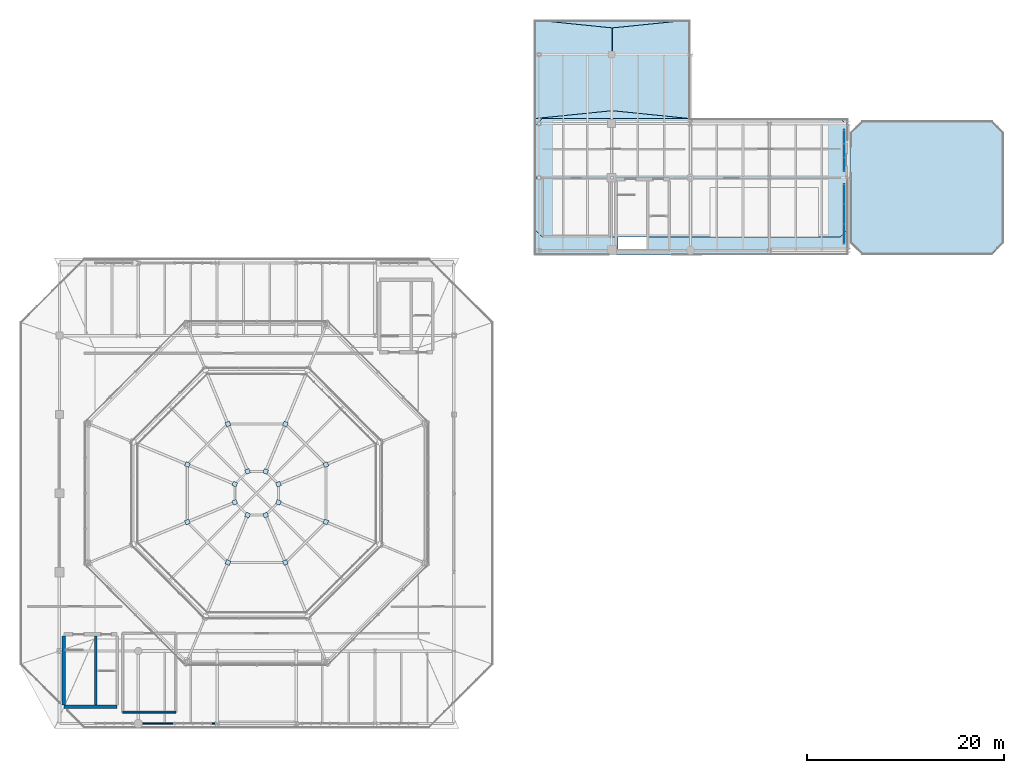
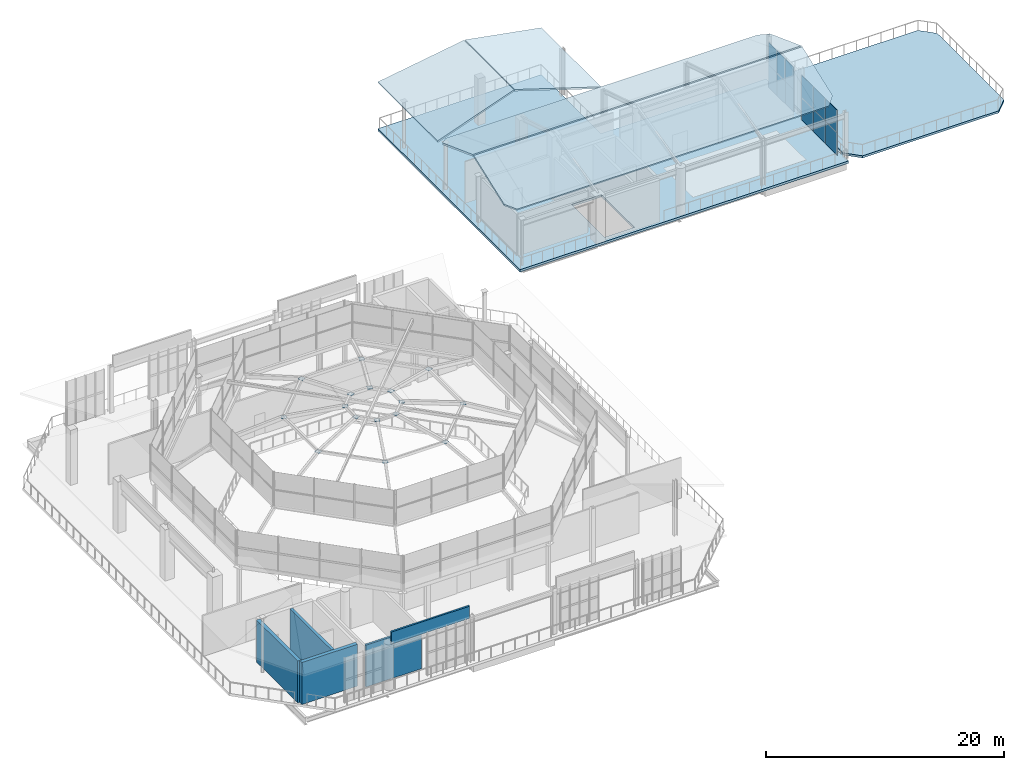
# One storey, part 23 of 30: 28 plates, 6 slabs, 5 walls, 2 elements without a shape of their own.
"""IFC4 building model written with IfcOpenShell, lengths in metres."""

import ifcopenshell
import ifcopenshell.guid

model = None  # the IFC model being written
_history = None  # IfcOwnerHistory: only IFC2X3 demands one
_inside = {}  # id of a spatial element -> (the spatial element, [elements in it])
_under = {}  # id of a project, library or spatial element -> (it, [spatial elements below it])
_declared = {}  # id of a project -> (the project, [libraries it declares])
_typed = {}  # id of a type object -> (the type object, [elements of that type])
_made_of = {}  # id of a material, layer set ... -> (it, [elements and type objects made of it])


def new_model(schema):
    """Start an empty IFC model of exactly this schema.

    Asked for "IFC4X3", IfcOpenShell would pick the latest addendum, in which some entities
    have other attributes; the version numbers below select the first issue.
    IFC2X3 requires an IfcOwnerHistory on every rooted entity: one is made here for all.
    """
    global model, _history
    if schema == "IFC4X3":
        model = ifcopenshell.file(schema_version=(4, 3, 0, 0))
    else:
        model = ifcopenshell.file(schema=schema)
    _inside.clear()
    _under.clear()
    _declared.clear()
    _typed.clear()
    _made_of.clear()
    _history = None
    if model.schema == "IFC2X3":
        org = make("IfcOrganization", Name="unknown")
        user = make(
            "IfcPersonAndOrganization",
            ThePerson=make("IfcPerson", FamilyName="unknown"),
            TheOrganization=org,
        )
        app = make(
            "IfcApplication",
            ApplicationDeveloper=org,
            Version="unknown",
            ApplicationFullName="unknown",
            ApplicationIdentifier="unknown",
        )
        _history = make(
            "IfcOwnerHistory",
            OwningUser=user,
            OwningApplication=app,
            ChangeAction="ADDED",
            CreationDate=0,
        )
    return model


def make(cls, **values):
    """One entity of the class cls with the attributes given. An attribute that is None is left unset."""
    return model.create_entity(
        cls, **{name: value for name, value in values.items() if value is not None}
    )


def rooted(cls, **values):
    """An entity with a GlobalId (a new one), such as an element, a storey or a relation."""
    return make(cls, GlobalId=ifcopenshell.guid.new(), OwnerHistory=_history, **values)


def si_unit(unit_type, name, prefix=None):
    """IfcSIUnit, for example si_unit("LENGTHUNIT", "METRE", prefix="MILLI")."""
    return make("IfcSIUnit", UnitType=unit_type, Prefix=prefix, Name=name)


def assignment(units):
    """IfcUnitAssignment: the units of a project."""
    return None if units is None else make("IfcUnitAssignment", Units=units)


def point(xyz):
    """IfcCartesianPoint."""
    return None if xyz is None else make("IfcCartesianPoint", Coordinates=xyz)


def direction(xyz):
    """IfcDirection."""
    return None if xyz is None else make("IfcDirection", DirectionRatios=xyz)


def frame(location, z_axis=None, x_axis=None):
    """IfcAxis2Placement3D, a coordinate frame: its origin and axes. An axis left out is left unset."""
    return make(
        "IfcAxis2Placement3D",
        Location=point(location),
        Axis=direction(z_axis),
        RefDirection=direction(x_axis),
    )


def frame_2d(location, x_axis=None):
    """IfcAxis2Placement2D, a coordinate frame in the plane: its origin and x axis."""
    return make(
        "IfcAxis2Placement2D", Location=point(location), RefDirection=direction(x_axis)
    )


def origin():
    """The frame at (0, 0, 0) with its axes left unset."""
    return frame((0.0, 0.0, 0.0))


def origin_2d():
    """The frame at (0, 0) in the plane with its x axis left unset."""
    return frame_2d((0.0, 0.0))


def place(relative_to, where):
    """IfcLocalPlacement: puts the frame where relative to a parent placement (None: the world)."""
    return make(
        "IfcLocalPlacement", PlacementRelTo=relative_to, RelativePlacement=where
    )


def context(
    kind, dimensions, precision=None, world=None, true_north=None, identifier=None
):
    """IfcGeometricRepresentationContext, for example the 3D "Model" context."""
    return make(
        "IfcGeometricRepresentationContext",
        ContextIdentifier=identifier,
        ContextType=kind,
        CoordinateSpaceDimension=dimensions,
        Precision=precision,
        WorldCoordinateSystem=world,
        TrueNorth=true_north,
    )


def subcontext(parent, identifier, kind, view, scale=None):
    """IfcGeometricRepresentationSubContext, for example "Body" below "Model"."""
    return make(
        "IfcGeometricRepresentationSubContext",
        ContextIdentifier=identifier,
        ContextType=kind,
        ParentContext=parent,
        TargetScale=scale,
        TargetView=view,
    )


def project(units=None, contexts=None):
    """IfcProject with its units and contexts."""
    return rooted(
        "IfcProject",
        Name="project",
        RepresentationContexts=contexts,
        UnitsInContext=assignment(units),
    )


def spatial(cls, under=None, at=None, **own):
    """A site, building, storey or space (cls), placed at a placement, below another one or the project."""
    s = rooted(cls, ObjectPlacement=at, **own)
    if under is not None:
        _under.setdefault(under.id(), (under, []))[1].append(s)
    return s


def polyline(points):
    """IfcPolyline through the points."""
    return make("IfcPolyline", Points=[point(p) for p in points])


def profile(cls, at=None, kind="AREA", **sizes):
    """A parametric profile (cls). Its sizes go by their IFC names, for example OverallWidth=200.0."""
    return make(cls, ProfileType=kind, Position=at, **sizes)


def rectangle(**sizes):
    """IfcRectangleProfileDef."""
    return profile("IfcRectangleProfileDef", **sizes)


def outline(outer, holes=None, kind="AREA"):
    """IfcArbitraryClosedProfileDef: a profile drawn as a closed curve; with holes, ...WithVoids."""
    if holes is None:
        return make("IfcArbitraryClosedProfileDef", ProfileType=kind, OuterCurve=outer)
    return make(
        "IfcArbitraryProfileDefWithVoids",
        ProfileType=kind,
        OuterCurve=outer,
        InnerCurves=holes,
    )


def extrude(swept, where, along, depth):
    """IfcExtrudedAreaSolid: the profile swept, set in the frame where, extruded along a direction by depth."""
    return make(
        "IfcExtrudedAreaSolid",
        SweptArea=swept,
        Position=where,
        ExtrudedDirection=direction(along),
        Depth=depth,
    )


def shape(context_of_items, identifier, shape_type, items):
    """IfcShapeRepresentation: the items that make up one representation, for example the "Body"."""
    return make(
        "IfcShapeRepresentation",
        ContextOfItems=context_of_items,
        RepresentationIdentifier=identifier,
        RepresentationType=shape_type,
        Items=items,
    )


def material(Name=None, Category=None):
    """IfcMaterial."""
    return make("IfcMaterial", Name=Name, Category=Category)


def layer(
    of_material, thickness, ventilated=None, Name=None, Category=None, Priority=None
):
    """IfcMaterialLayer: one layer of a wall or slab, of a material (None: an air gap)."""
    return make(
        "IfcMaterialLayer",
        Material=of_material,
        LayerThickness=thickness,
        IsVentilated=ventilated,
        Name=Name,
        Category=Category,
        Priority=Priority,
    )


def layer_set(layers, Name=None):
    """IfcMaterialLayerSet."""
    return make("IfcMaterialLayerSet", MaterialLayers=layers, LayerSetName=Name)


def made_of(thing, what):
    """Note that an element or type object is made of a material, layer set ...; save() writes the relation."""
    if what is not None:
        _made_of.setdefault(what.id(), (what, []))[1].append(thing)
    return thing


def type_object(cls, material=None, **own):
    """A type object (cls), such as IfcWallType, which elements share."""
    return made_of(rooted(cls, **own), material)


def element(
    cls,
    number,
    at=None,
    inside=None,
    cuts=None,
    type_object=None,
    material=None,
    context=None,
    identifier="Body",
    shape_type=None,
    held_by="IfcProductDefinitionShape",
    body=None,
    shapes=None,
    **own,
):
    """One element of the class cls, such as IfcWall. Its Tag is "e" and its number.

    at: its placement. inside: the storey or other place that contains it. cuts: it is an
    opening in that element (IfcRelVoidsElement). A single representation is given by context,
    identifier, shape_type and body (its items); several are given by shapes. held_by: the class
    of the entity that holds the representations. save() writes the other relations.
    """
    e = rooted(cls, Tag="e%d" % number, ObjectPlacement=at, **own)
    if body is not None:
        shapes = [shape(context, identifier, shape_type, body)]
    if shapes is not None:
        e.Representation = make(held_by, Representations=shapes)
    if inside is not None:
        _inside.setdefault(inside.id(), (inside, []))[1].append(e)
    if cuts is not None:
        rooted(
            "IfcRelVoidsElement", RelatingBuildingElement=cuts, RelatedOpeningElement=e
        )
    if type_object is not None:
        _typed.setdefault(type_object.id(), (type_object, []))[1].append(e)
    return made_of(e, material)


def aggregate(whole, parts):
    """IfcRelAggregates: a whole, such as a stair, and the parts it consists of."""
    return rooted("IfcRelAggregates", RelatingObject=whole, RelatedObjects=parts)


def save(model, path):
    """Write the relations noted so far, then the file.

    IfcRelAggregates (storeys below a building ...), IfcRelContainedInSpatialStructure (elements
    in a storey), IfcRelDefinesByType, IfcRelAssociatesMaterial and IfcRelDeclares: one each for
    every whole, place, type object, material and project.
    """
    for whole, parts in _under.values():
        aggregate(whole, parts)
    for where, things in _inside.values():
        rooted(
            "IfcRelContainedInSpatialStructure",
            RelatedElements=things,
            RelatingStructure=where,
        )
    for kind, things in _typed.values():
        rooted("IfcRelDefinesByType", RelatedObjects=things, RelatingType=kind)
    for what, things in _made_of.values():
        rooted("IfcRelAssociatesMaterial", RelatedObjects=things, RelatingMaterial=what)
    for by, libraries in _declared.values():
        rooted("IfcRelDeclares", RelatingContext=by, RelatedDefinitions=libraries)
    model.write(path)


model = new_model("IFC4")

# Units and contexts
model_context = context("Model", 3, precision=1e-05, world=origin(), true_north=direction((0.0, 1.0)))
body_context = subcontext(model_context, "Body", "Model", "MODEL_VIEW")
ifc_project = project(units=[si_unit("LENGTHUNIT", "METRE"), si_unit("AREAUNIT", "SQUARE_METRE"), si_unit("VOLUMEUNIT", "CUBIC_METRE"), si_unit("PLANEANGLEUNIT", "RADIAN"), si_unit("MASSUNIT", "GRAM", prefix="KILO")], contexts=[model_context])

# Site, building, storey
site_placement = place(None, origin())
site = spatial("IfcSite", under=ifc_project, at=site_placement, CompositionType="ELEMENT")
building_placement = place(site_placement, origin())
building = spatial("IfcBuilding", under=site, at=building_placement, Name="Brisemont Oceanarium", CompositionType="ELEMENT")
storey_placement = place(building_placement, frame((0.0, 0.0, 19.800048828125)))
storey = spatial("IfcBuildingStorey", under=building, at=storey_placement, Name="L04", CompositionType="ELEMENT", Elevation=19.800048828125)

# Curtain wall, plates
ifc_material_1 = material(Name="Anodized Extruded Aluminum 6063-T6", Category="aluminium")
curtain_wall_type = type_object("IfcCurtainWallType", Name="CW-RES-52X41", PredefinedType="NOTDEFINED", material=ifc_material_1)
curtain_wall_1_placement = place(storey_placement, origin())
curtain_wall_1 = element("IfcCurtainWall", 1, at=curtain_wall_1_placement, inside=storey, type_object=curtain_wall_type, Name="CW-18 curtain wall CW-V6-E-L04-01", PredefinedType="NOTDEFINED")
ifc_material_2 = material(Name="Insulated Low-E Laminated Glass", Category="glass")
ifc_layer_1 = layer(ifc_material_2, 0.02587890625)
ifc_layer_set_1 = layer_set([ifc_layer_1], Name="Insulated Low-E Laminated Glass")
plate_type_1 = type_object("IfcPlateType", Name="PLT-CWP-V10", PredefinedType="CURTAIN_PANEL", material=ifc_layer_set_1)
plate_1_placement = place(storey_placement, frame((143.60009765625, 82.308349609375, 0.00146484375), z_axis=(0.0, 0.0, 1.0), x_axis=(0.0, 1.0, 0.0)))
plate_1 = element("IfcPlate", 2, at=plate_1_placement, type_object=plate_type_1, Name="CW-V6-E-L04-01 panel 1.1", PredefinedType="CURTAIN_PANEL", context=body_context, shape_type="SweptSolid", body=[
    extrude(rectangle(XDim=2.013671875, YDim=0.02587890625, at=origin_2d()), origin(), (0.0, 0.0, 1.0), 2.297119140625),
])
plate_2_placement = place(storey_placement, frame((143.60009765625, 82.308349609375, 2.30126953125), z_axis=(0.0, 0.0, 1.0), x_axis=(0.0, 1.0, 0.0)))
plate_2 = element("IfcPlate", 3, at=plate_2_placement, type_object=plate_type_1, Name="CW-V6-E-L04-01 panel 1.2", PredefinedType="CURTAIN_PANEL", context=body_context, shape_type="SweptSolid", body=[
    extrude(rectangle(XDim=2.013671875, YDim=0.02587890625, at=origin_2d()), origin(), (0.0, 0.0, 1.0), 2.297119140625),
])
plate_3_placement = place(storey_placement, frame((143.60009765625, 84.324951171875, 0.00146484375), z_axis=(0.0, 0.0, 1.0), x_axis=(0.0, 1.0, 0.0)))
plate_3 = element("IfcPlate", 4, at=plate_3_placement, type_object=plate_type_1, Name="CW-V6-E-L04-01 panel 2.1", PredefinedType="CURTAIN_PANEL", context=body_context, shape_type="SweptSolid", body=[
    extrude(rectangle(XDim=2.013671875, YDim=0.02587890625, at=origin_2d()), origin(), (0.0, 0.0, 1.0), 2.297119140625),
])
plate_4_placement = place(storey_placement, frame((143.60009765625, 84.324951171875, 2.30126953125), z_axis=(0.0, 0.0, 1.0), x_axis=(0.0, 1.0, 0.0)))
plate_4 = element("IfcPlate", 5, at=plate_4_placement, type_object=plate_type_1, Name="CW-V6-E-L04-01 panel 2.2", PredefinedType="CURTAIN_PANEL", context=body_context, shape_type="SweptSolid", body=[
    extrude(rectangle(XDim=2.013671875, YDim=0.02587890625, at=origin_2d()), origin(), (0.0, 0.0, 1.0), 2.297119140625),
])
plate_5_placement = place(storey_placement, frame((143.60009765625, 86.341796875, 0.00146484375), z_axis=(0.0, 0.0, 1.0), x_axis=(0.0, 1.0, 0.0)))
plate_5 = element("IfcPlate", 6, at=plate_5_placement, type_object=plate_type_1, Name="CW-V6-E-L04-01 panel 3.1", PredefinedType="CURTAIN_PANEL", context=body_context, shape_type="SweptSolid", body=[
    extrude(rectangle(XDim=2.013671875, YDim=0.02587890625, at=origin_2d()), origin(), (0.0, 0.0, 1.0), 2.297119140625),
])
plate_6_placement = place(storey_placement, frame((143.60009765625, 86.341796875, 2.30126953125), z_axis=(0.0, 0.0, 1.0), x_axis=(0.0, 1.0, 0.0)))
plate_6 = element("IfcPlate", 7, at=plate_6_placement, type_object=plate_type_1, Name="CW-V6-E-L04-01 panel 3.2", PredefinedType="CURTAIN_PANEL", context=body_context, shape_type="SweptSolid", body=[
    extrude(rectangle(XDim=2.013671875, YDim=0.02587890625, at=origin_2d()), origin(), (0.0, 0.0, 1.0), 2.297119140625),
])
aggregate(curtain_wall_1, [plate_1, plate_2, plate_3, plate_4, plate_5, plate_6])

curtain_wall_2_placement = place(storey_placement, origin())
curtain_wall_2 = element("IfcCurtainWall", 8, at=curtain_wall_2_placement, inside=storey, type_object=curtain_wall_type, Name="CW-18 curtain wall CW-V6-E-L04-02", PredefinedType="NOTDEFINED")
plate_7_placement = place(storey_placement, frame((143.60009765625, 89.35009765625, 0.00146484375), z_axis=(0.0, 0.0, 1.0), x_axis=(0.0, 1.0, 0.0)))
plate_7 = element("IfcPlate", 9, at=plate_7_placement, type_object=plate_type_1, Name="CW-V6-E-L04-02 panel 1.1", PredefinedType="CURTAIN_PANEL", context=body_context, shape_type="SweptSolid", body=[
    extrude(rectangle(XDim=1.39697265625, YDim=0.02587890625, at=origin_2d()), origin(), (0.0, 0.0, 1.0), 2.297119140625),
])
plate_8_placement = place(storey_placement, frame((143.60009765625, 89.35009765625, 2.30126953125), z_axis=(0.0, 0.0, 1.0), x_axis=(0.0, 1.0, 0.0)))
plate_8 = element("IfcPlate", 10, at=plate_8_placement, type_object=plate_type_1, Name="CW-V6-E-L04-02 panel 1.2", PredefinedType="CURTAIN_PANEL", context=body_context, shape_type="SweptSolid", body=[
    extrude(rectangle(XDim=1.39697265625, YDim=0.02587890625, at=origin_2d()), origin(), (0.0, 0.0, 1.0), 2.297119140625),
])
plate_9_placement = place(storey_placement, frame((143.60009765625, 90.75, 0.00146484375), z_axis=(0.0, 0.0, 1.0), x_axis=(0.0, 1.0, 0.0)))
plate_9 = element("IfcPlate", 11, at=plate_9_placement, type_object=plate_type_1, Name="CW-V6-E-L04-02 panel 2.1", PredefinedType="CURTAIN_PANEL", context=body_context, shape_type="SweptSolid", body=[
    extrude(rectangle(XDim=1.39697265625, YDim=0.02587890625, at=origin_2d()), origin(), (0.0, 0.0, 1.0), 2.297119140625),
])
plate_10_placement = place(storey_placement, frame((143.60009765625, 90.75, 2.30126953125), z_axis=(0.0, 0.0, 1.0), x_axis=(0.0, 1.0, 0.0)))
plate_10 = element("IfcPlate", 12, at=plate_10_placement, type_object=plate_type_1, Name="CW-V6-E-L04-02 panel 2.2", PredefinedType="CURTAIN_PANEL", context=body_context, shape_type="SweptSolid", body=[
    extrude(rectangle(XDim=1.39697265625, YDim=0.02587890625, at=origin_2d()), origin(), (0.0, 0.0, 1.0), 2.297119140625),
])
plate_11_placement = place(storey_placement, frame((143.60009765625, 92.14990234375, 0.00146484375), z_axis=(0.0, 0.0, 1.0), x_axis=(0.0, 1.0, 0.0)))
plate_11 = element("IfcPlate", 13, at=plate_11_placement, type_object=plate_type_1, Name="CW-V6-E-L04-02 panel 3.1", PredefinedType="CURTAIN_PANEL", context=body_context, shape_type="SweptSolid", body=[
    extrude(rectangle(XDim=1.39697265625, YDim=0.02587890625, at=origin_2d()), origin(), (0.0, 0.0, 1.0), 2.297119140625),
])
plate_12_placement = place(storey_placement, frame((143.60009765625, 92.14990234375, 2.30126953125), z_axis=(0.0, 0.0, 1.0), x_axis=(0.0, 1.0, 0.0)))
plate_12 = element("IfcPlate", 14, at=plate_12_placement, type_object=plate_type_1, Name="CW-V6-E-L04-02 panel 3.2", PredefinedType="CURTAIN_PANEL", context=body_context, shape_type="SweptSolid", body=[
    extrude(rectangle(XDim=1.39697265625, YDim=0.02587890625, at=origin_2d()), origin(), (0.0, 0.0, 1.0), 2.297119140625),
])
aggregate(curtain_wall_2, [plate_7, plate_8, plate_9, plate_10, plate_11, plate_12])

# Plates
ifc_material_3 = material(Name="Structural Steel ASTM A572 Gr.50", Category="steel")
ifc_layer_2 = layer(ifc_material_3, 0.02490234375)
ifc_layer_set_2 = layer_set([ifc_layer_2], Name="Structural Steel ASTM A572 Gr.50")
plate_type_2 = type_object("IfcPlateType", Name="PLT-NODE-DN3", PredefinedType="SHEET", material=ifc_layer_set_2)
for number, where, z_axis, x_axis, name in (
    (15, (91.021484375, 58.908447265625, 10.08740234375), (0.0, 0.0, 1.0), (0.923879532511, 0.382683432365, 0.0), "V1 dome structural node plate DN-03"),
    (16, (86.908447265625, 63.021484375, 10.08740234375), (0.0, 0.0, 1.0), (0.382683432365, 0.923879532511, 0.0), "V1 dome structural node plate DN-03"),
    (17, (81.091552734375, 63.021484375, 10.08740234375), (0.0, 0.0, 1.0), (-0.382683432365, 0.923879532511, 0.0), "V1 dome structural node plate DN-03"),
    (18, (76.978515625, 58.908447265625, 10.08740234375), (0.0, 0.0, 1.0), (-0.923879532511, 0.382683432365, 0.0), "V1 dome structural node plate DN-03"),
    (19, (76.978515625, 53.091552734375, 10.08740234375), (0.0, 0.0, 1.0), (-0.923879532511, -0.382683432365, 0.0), "V1 dome structural node plate DN-03"),
    (20, (81.091552734375, 48.978515625, 10.08740234375), (0.0, 0.0, 1.0), (-0.382683432365, -0.923879532511, 0.0), "V1 dome structural node plate DN-03"),
    (21, (86.908447265625, 48.978515625, 10.08740234375), (0.0, 0.0, 1.0), (0.382683432365, -0.923879532511, 0.0), "V1 dome structural node plate DN-03"),
    (22, (91.021484375, 53.091552734375, 10.08740234375), (0.0, 0.0, 1.0), (0.923879532511, -0.382683432365, 0.0), "V1 dome structural node plate DN-03"),
    (23, (86.21728515625, 56.91845703125, 10.737548828125), (0.0, 0.0, 1.0), (0.923879532511, 0.382683432365, 0.0), "V1 dome structural node plate DN-03"),
    (24, (84.91845703125, 58.21728515625, 10.737548828125), (0.0, 0.0, 1.0), (0.382683432365, 0.923879532511, 0.0), "V1 dome structural node plate DN-03"),
    (25, (83.08154296875, 58.21728515625, 10.737548828125), (0.0, 0.0, 1.0), (-0.382683432365, 0.923879532511, 0.0), "V1 dome structural node plate DN-03"),
    (26, (81.78271484375, 56.91845703125, 10.737548828125), (0.0, 0.0, 1.0), (-0.923879532511, 0.382683432365, 0.0), "V1 dome structural node plate DN-03"),
    (27, (81.78271484375, 55.08154296875, 10.737548828125), (0.0, 0.0, 1.0), (-0.923879532511, -0.382683432365, 0.0), "V1 dome structural node plate DN-03"),
    (28, (83.08154296875, 53.78271484375, 10.737548828125), (0.0, 0.0, 1.0), (-0.382683432365, -0.923879532511, 0.0), "V1 dome structural node plate DN-03"),
    (29, (84.91845703125, 53.78271484375, 10.737548828125), (0.0, 0.0, 1.0), (0.382683432365, -0.923879532511, 0.0), "V1 dome structural node plate DN-03"),
    (30, (86.21728515625, 55.08154296875, 10.737548828125), (0.0, 0.0, 1.0), (0.923879532511, -0.382683432365, 0.0), "V1 dome structural node plate DN-03"),
):
    element("IfcPlate", number, at=place(storey_placement, frame(where, z_axis=z_axis, x_axis=x_axis)), inside=storey, type_object=plate_type_2, Name=name, PredefinedType="SHEET", context=body_context, shape_type="SweptSolid", body=[
        extrude(rectangle(XDim=0.4599609375, YDim=0.4599609375, at=origin_2d()), origin(), (0.0, 0.0, 1.0), 0.02490234375),
    ])

# Slabs
ifc_material_4 = material(Name="Concrete C35/45", Category="concrete")
ifc_layer_3 = layer(ifc_material_4, 0.239990234375)
ifc_layer_set_3 = layer_set([ifc_layer_3], Name="Concrete C35/45")
slab_type_1 = type_object("IfcSlabType", Name="SLB-FLR-240", PredefinedType="FLOOR", material=ifc_layer_set_3)
slab_1_placement = place(storey_placement, frame((0.0, 0.0, -0.239990234375)))
element("IfcSlab", 31, at=slab_1_placement, inside=storey, type_object=slab_type_1, Name="V6 L04 floor slab", PredefinedType="FLOOR", context=body_context, shape_type="SweptSolid", body=[
    extrude(outline(polyline([(112.14990234375, 80.14990234375), (144.0, 80.14990234375), (144.0, 94.0), (128.0, 94.0), (128.0, 104.0), (112.14990234375, 104.0), (112.14990234375, 80.14990234375)]), holes=[polyline([(120.669921875, 80.719970703125), (123.570068359375, 80.719970703125), (123.570068359375, 86.260009765625), (120.669921875, 86.260009765625), (120.669921875, 80.719970703125)])]), origin(), (0.0, 0.0, 1.0), 0.239990234375),
])
ifc_material_5 = material(Name="Concrete C35/45", Category="concrete")
ifc_layer_4 = layer(ifc_material_5, 0.179931640625)
ifc_layer_set_4 = layer_set([ifc_layer_4], Name="Concrete C35/45")
slab_type_2 = type_object("IfcSlabType", Name="SLB-RF-180", PredefinedType="ROOF", material=ifc_layer_set_4)
slab_2_placement = place(storey_placement, frame((112.14990234375, 94.0, 4.800048828125), z_axis=(-0.245860261889, 0.0, 0.969305282986), x_axis=(0.964651099215, 0.097877872624, 0.244679747493)))
element("IfcSlab", 32, at=slab_2_placement, inside=storey, type_object=slab_type_2, Name="V6-NW pitched roof W slope", PredefinedType="ROOF", context=body_context, shape_type="SweptSolid", body=[
    extrude(outline(polyline([(0.0, 0.0), (8.173949910012038, -2.0816681711721685e-17), (8.996114481665467, 8.359569654094324), (0.9787787262374131, 9.95198433504922), (0.0, 0.0)])), origin(), (0.0, 0.0, -1.0), 0.179931640625),
])
slab_3_placement = place(storey_placement, frame((120.114990234375, 94.800048828125, 6.800048828125), z_axis=(0.245860261889, 0.0, 0.969305282986), x_axis=(0.964651099215, -0.097877872624, -0.244679747493)))
element("IfcSlab", 33, at=slab_3_placement, inside=storey, type_object=slab_type_2, Name="V6-NW pitched roof E slope", PredefinedType="ROOF", context=body_context, shape_type="SweptSolid", body=[
    extrude(outline(polyline([(0.0, 0.0), (8.173949910012038, 2.0816681711721685e-17), (7.195171183774626, 9.95198433504922), (-0.8221645716534286, 8.359569654094322), (0.0, 0.0)])), origin(), (0.0, 0.0, -1.0), 0.179931640625),
])
ifc_material_6 = material(Name="Concrete C35/45", Category="concrete")
ifc_layer_5 = layer(ifc_material_6, 0.199951171875)
ifc_layer_set_5 = layer_set([ifc_layer_5], Name="Concrete C35/45")
slab_type_3 = type_object("IfcSlabType", Name="SLB-RF-200", PredefinedType="ROOF", material=ifc_layer_set_5)
slab_4_placement = place(storey_placement, frame((112.949951171875, 82.0, 4.800048828125), z_axis=(0.0, -0.348343469929, 0.937366964938), x_axis=(1.0, 0.0, 0.0)))
element("IfcSlab", 34, at=slab_4_placement, inside=storey, type_object=slab_type_3, Name="V6-WEST pitched roof S slope", PredefinedType="ROOF", context=body_context, shape_type="SweptSolid", body=[
    extrude(outline(polyline([(0.0, 0.0), (30.25, 0.0), (31.050048828125, 0.8534388542496884), (31.050048828125, 6.3154778255264885), (-0.800048828125, 6.3154778255264885), (-0.800048828125, 0.8534388542496884), (0.0, 0.0)])), origin(), (0.0, 0.0, -1.0), 0.199951171875),
])
slab_5_placement = place(storey_placement, frame((112.14990234375, 88.080078125, 7.0), z_axis=(0.0, 0.348343469929, 0.937366964938), x_axis=(1.0, 0.0, 0.0)))
element("IfcSlab", 35, at=slab_5_placement, inside=storey, type_object=slab_type_3, Name="V6-WEST pitched roof N slope", PredefinedType="ROOF", context=body_context, shape_type="SweptSolid", body=[
    extrude(outline(polyline([(0.0, 0.0), (31.85009765625, 0.0), (31.85009765625, 5.4620389712768), (31.050048828125, 6.3154778255264885), (0.800048828125, 6.3154778255264885), (0.0, 5.4620389712768), (0.0, 0.0)])), origin(), (0.0, 0.0, -1.0), 0.199951171875),
])
ifc_material_7 = material(Name="Concrete C40/50", Category="concrete")
ifc_layer_6 = layer(ifc_material_7, 0.219970703125)
ifc_layer_set_6 = layer_set([ifc_layer_6], Name="Concrete C40/50")
slab_type_4 = type_object("IfcSlabType", Name="SLB-TER-220", PredefinedType="FLOOR", material=ifc_layer_set_6)
slab_6_placement = place(storey_placement, frame((0.0, 0.0, -0.219970703125)))
element("IfcSlab", 36, at=slab_6_placement, inside=storey, type_object=slab_type_4, Name="V6 L04 terrace slab", PredefinedType="FLOOR", context=body_context, shape_type="SweptSolid", body=[
    extrude(outline(polyline([(145.39990234375, 80.199951171875), (158.60009765625, 80.199951171875), (159.800048828125, 81.39990234375), (159.800048828125, 92.60009765625), (158.60009765625, 93.800048828125), (145.39990234375, 93.800048828125), (144.199951171875, 92.60009765625), (144.199951171875, 81.39990234375), (145.39990234375, 80.199951171875)])), origin(), (0.0, 0.0, 1.0), 0.219970703125),
])

# Walls
ifc_material_8 = material(Name="Precast Concrete C40/50", Category="concrete")
ifc_layer_7 = layer(ifc_material_8, 0.179931640625)
ifc_layer_set_7 = layer_set([ifc_layer_7], Name="Precast Concrete C40/50")
wall_type_1 = type_object("IfcWallType", Name="EW-PARAPET-180", PredefinedType="PARAPET", material=ifc_layer_set_7)
wall_1_placement = place(storey_placement, frame((72.199951171875, 32.64990234375, 4.449951171875), z_axis=(0.0, 0.0, 1.0), x_axis=(1.0, 0.0, 0.0)))
element("IfcWall", 37, at=wall_1_placement, inside=storey, type_object=wall_type_1, Name="Precast stone cornice parapet PAR-V1-S1", PredefinedType="PARAPET", context=body_context, shape_type="SweptSolid", body=[
    extrude(rectangle(XDim=7.60009765625, YDim=0.179931640625, at=frame_2d((3.800048828125, 0.0))), origin(), (0.0, 0.0, 1.0), 1.25),
])
ifc_material_9 = material(Name="Cementitious Tile-Backer Plumbing Wall")
ifc_layer_8 = layer(ifc_material_9, 0.199951171875)
ifc_layer_set_8 = layer_set([ifc_layer_8], Name="Cementitious Tile-Backer Plumbing Wall")
wall_type_2 = type_object("IfcWallType", Name="IW-PLUMB-200", PredefinedType="PLUMBINGWALL", material=ifc_layer_set_8)
wall_2_placement = place(storey_placement, frame((70.39990234375, 33.800048828125, 0.0), z_axis=(0.0, 0.0, 1.0), x_axis=(1.0, 0.0, 0.0)))
element("IfcWall", 38, at=wall_2_placement, inside=storey, type_object=wall_type_2, Name="Accessible WC enclosure wall S", PredefinedType="PLUMBINGWALL", context=body_context, shape_type="SweptSolid", body=[
    extrude(rectangle(XDim=5.400146484375, YDim=0.199951171875, at=frame_2d((2.7001953125, 0.0))), origin(), (0.0, 0.0, 1.0), 4.2900390625),
])
ifc_material_10 = material(Name="Concrete C40/50", Category="concrete")
ifc_layer_9 = layer(ifc_material_10, 0.260009765625)
ifc_layer_set_9 = layer_set([ifc_layer_9], Name="Concrete C40/50")
wall_type_3 = type_object("IfcWallType", Name="SW-SHAFT-260", PredefinedType="SHEAR", material=ifc_layer_set_9)
wall_3_placement = place(storey_placement, frame((67.669921875, 34.550048828125, 0.0), z_axis=(0.0, 0.0, 1.0), x_axis=(0.0, 1.0, 0.0)))
element("IfcWall", 39, at=wall_3_placement, inside=storey, type_object=wall_type_3, Name="Core C1 L04 MID RC shear wall", PredefinedType="SHEAR", context=body_context, shape_type="SweptSolid", body=[
    extrude(rectangle(XDim=6.949951171875, YDim=0.260009765625, at=frame_2d((3.47509765625, 0.0))), origin(), (0.0, 0.0, 1.0), 4.300048828125),
])
ifc_material_11 = material(Name="Concrete C40/50", Category="concrete")
ifc_layer_10 = layer(ifc_material_11, 0.35009765625)
ifc_layer_set_10 = layer_set([ifc_layer_10], Name="Concrete C40/50")
wall_type_4 = type_object("IfcWallType", Name="SW-STAIR-350", PredefinedType="SHEAR", material=ifc_layer_set_10)
wall_4_placement = place(storey_placement, frame((64.449951171875, 34.35009765625, 0.0), z_axis=(0.0, 0.0, 1.0), x_axis=(1.0, 0.0, 0.0)))
element("IfcWall", 40, at=wall_4_placement, inside=storey, type_object=wall_type_4, Name="Core C1 L04 BCK RC shear wall", PredefinedType="SHEAR", context=body_context, shape_type="SweptSolid", body=[
    extrude(rectangle(XDim=5.400146484375, YDim=0.35009765625, at=frame_2d((2.7001953125, 0.0))), origin(), (0.0, 0.0, 1.0), 4.300048828125),
])
wall_5_placement = place(storey_placement, frame((64.449951171875, 34.550048828125, 0.0), z_axis=(0.0, 0.0, 1.0), x_axis=(0.0, 1.0, 0.0)))
element("IfcWall", 41, at=wall_5_placement, inside=storey, type_object=wall_type_4, Name="Core C1 L04 W RC shear wall", PredefinedType="SHEAR", context=body_context, shape_type="SweptSolid", body=[
    extrude(rectangle(XDim=6.949951171875, YDim=0.35009765625, at=frame_2d((3.47509765625, 0.0))), origin(), (0.0, 0.0, 1.0), 4.300048828125),
])

save(model, "model.ifc")
